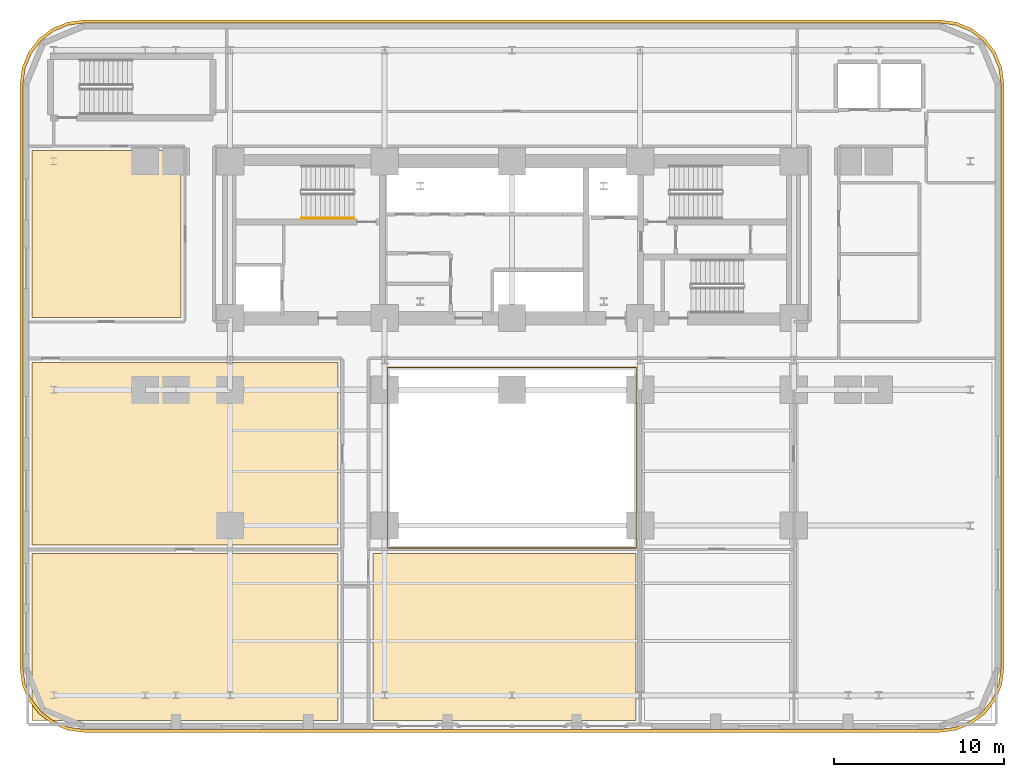
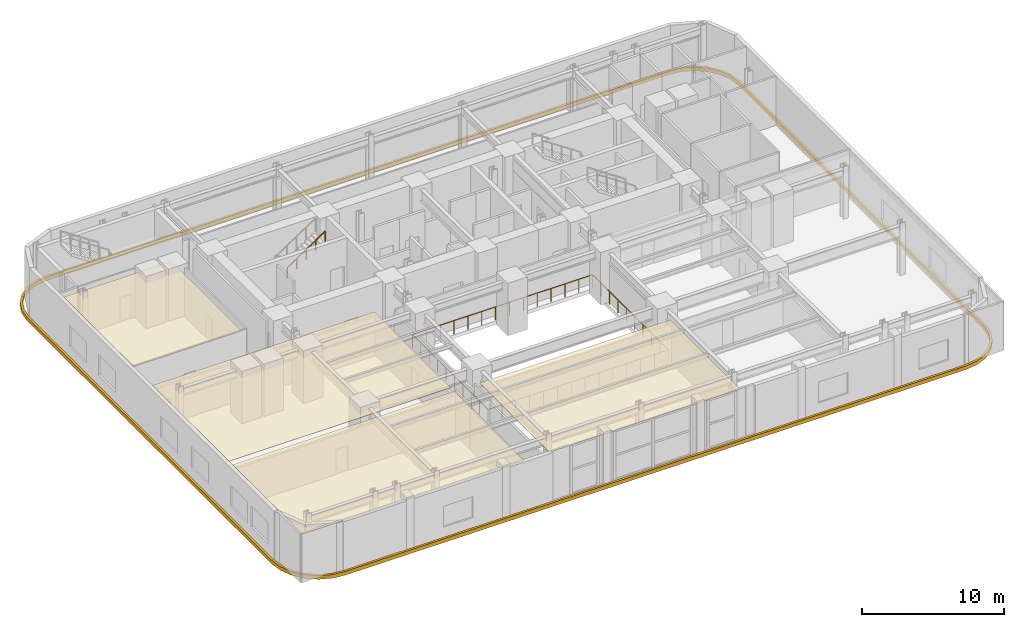
# One storey, part 10 of 14: 5 coverings, 2 railings.
"""IFC4 building model written with IfcOpenShell, lengths in metres."""

import ifcopenshell
import ifcopenshell.guid

model = None  # the IFC model being written
_history = None  # IfcOwnerHistory: only IFC2X3 demands one
_inside = {}  # id of a spatial element -> (the spatial element, [elements in it])
_under = {}  # id of a project, library or spatial element -> (it, [spatial elements below it])
_declared = {}  # id of a project -> (the project, [libraries it declares])
_typed = {}  # id of a type object -> (the type object, [elements of that type])
_made_of = {}  # id of a material, layer set ... -> (it, [elements and type objects made of it])


def new_model(schema):
    """Start an empty IFC model of exactly this schema.

    Asked for "IFC4X3", IfcOpenShell would pick the latest addendum, in which some entities
    have other attributes; the version numbers below select the first issue.
    IFC2X3 requires an IfcOwnerHistory on every rooted entity: one is made here for all.
    """
    global model, _history
    if schema == "IFC4X3":
        model = ifcopenshell.file(schema_version=(4, 3, 0, 0))
    else:
        model = ifcopenshell.file(schema=schema)
    _inside.clear()
    _under.clear()
    _declared.clear()
    _typed.clear()
    _made_of.clear()
    _history = None
    if model.schema == "IFC2X3":
        org = make("IfcOrganization", Name="unknown")
        user = make(
            "IfcPersonAndOrganization",
            ThePerson=make("IfcPerson", FamilyName="unknown"),
            TheOrganization=org,
        )
        app = make(
            "IfcApplication",
            ApplicationDeveloper=org,
            Version="unknown",
            ApplicationFullName="unknown",
            ApplicationIdentifier="unknown",
        )
        _history = make(
            "IfcOwnerHistory",
            OwningUser=user,
            OwningApplication=app,
            ChangeAction="ADDED",
            CreationDate=0,
        )
    return model


def make(cls, **values):
    """One entity of the class cls with the attributes given. An attribute that is None is left unset."""
    return model.create_entity(
        cls, **{name: value for name, value in values.items() if value is not None}
    )


def rooted(cls, **values):
    """An entity with a GlobalId (a new one), such as an element, a storey or a relation."""
    return make(cls, GlobalId=ifcopenshell.guid.new(), OwnerHistory=_history, **values)


def si_unit(unit_type, name, prefix=None):
    """IfcSIUnit, for example si_unit("LENGTHUNIT", "METRE", prefix="MILLI")."""
    return make("IfcSIUnit", UnitType=unit_type, Prefix=prefix, Name=name)


def assignment(units):
    """IfcUnitAssignment: the units of a project."""
    return None if units is None else make("IfcUnitAssignment", Units=units)


def point(xyz):
    """IfcCartesianPoint."""
    return None if xyz is None else make("IfcCartesianPoint", Coordinates=xyz)


def direction(xyz):
    """IfcDirection."""
    return None if xyz is None else make("IfcDirection", DirectionRatios=xyz)


def frame(location, z_axis=None, x_axis=None):
    """IfcAxis2Placement3D, a coordinate frame: its origin and axes. An axis left out is left unset."""
    return make(
        "IfcAxis2Placement3D",
        Location=point(location),
        Axis=direction(z_axis),
        RefDirection=direction(x_axis),
    )


def frame_2d(location, x_axis=None):
    """IfcAxis2Placement2D, a coordinate frame in the plane: its origin and x axis."""
    return make(
        "IfcAxis2Placement2D", Location=point(location), RefDirection=direction(x_axis)
    )


def origin():
    """The frame at (0, 0, 0) with its axes left unset."""
    return frame((0.0, 0.0, 0.0))


def origin_2d():
    """The frame at (0, 0) in the plane with its x axis left unset."""
    return frame_2d((0.0, 0.0))


def place(relative_to, where):
    """IfcLocalPlacement: puts the frame where relative to a parent placement (None: the world)."""
    return make(
        "IfcLocalPlacement", PlacementRelTo=relative_to, RelativePlacement=where
    )


def context(
    kind, dimensions, precision=None, world=None, true_north=None, identifier=None
):
    """IfcGeometricRepresentationContext, for example the 3D "Model" context."""
    return make(
        "IfcGeometricRepresentationContext",
        ContextIdentifier=identifier,
        ContextType=kind,
        CoordinateSpaceDimension=dimensions,
        Precision=precision,
        WorldCoordinateSystem=world,
        TrueNorth=true_north,
    )


def subcontext(parent, identifier, kind, view, scale=None):
    """IfcGeometricRepresentationSubContext, for example "Body" below "Model"."""
    return make(
        "IfcGeometricRepresentationSubContext",
        ContextIdentifier=identifier,
        ContextType=kind,
        ParentContext=parent,
        TargetScale=scale,
        TargetView=view,
    )


def project(units=None, contexts=None):
    """IfcProject with its units and contexts."""
    return rooted(
        "IfcProject",
        Name="project",
        RepresentationContexts=contexts,
        UnitsInContext=assignment(units),
    )


def spatial(cls, under=None, at=None, **own):
    """A site, building, storey or space (cls), placed at a placement, below another one or the project."""
    s = rooted(cls, ObjectPlacement=at, **own)
    if under is not None:
        _under.setdefault(under.id(), (under, []))[1].append(s)
    return s


def polyline(points):
    """IfcPolyline through the points."""
    return make("IfcPolyline", Points=[point(p) for p in points])


def profile(cls, at=None, kind="AREA", **sizes):
    """A parametric profile (cls). Its sizes go by their IFC names, for example OverallWidth=200.0."""
    return make(cls, ProfileType=kind, Position=at, **sizes)


def rectangle(**sizes):
    """IfcRectangleProfileDef."""
    return profile("IfcRectangleProfileDef", **sizes)


def outline(outer, holes=None, kind="AREA"):
    """IfcArbitraryClosedProfileDef: a profile drawn as a closed curve; with holes, ...WithVoids."""
    if holes is None:
        return make("IfcArbitraryClosedProfileDef", ProfileType=kind, OuterCurve=outer)
    return make(
        "IfcArbitraryProfileDefWithVoids",
        ProfileType=kind,
        OuterCurve=outer,
        InnerCurves=holes,
    )


def extrude(swept, where, along, depth):
    """IfcExtrudedAreaSolid: the profile swept, set in the frame where, extruded along a direction by depth."""
    return make(
        "IfcExtrudedAreaSolid",
        SweptArea=swept,
        Position=where,
        ExtrudedDirection=direction(along),
        Depth=depth,
    )


def shape(context_of_items, identifier, shape_type, items):
    """IfcShapeRepresentation: the items that make up one representation, for example the "Body"."""
    return make(
        "IfcShapeRepresentation",
        ContextOfItems=context_of_items,
        RepresentationIdentifier=identifier,
        RepresentationType=shape_type,
        Items=items,
    )


def material(Name=None, Category=None):
    """IfcMaterial."""
    return make("IfcMaterial", Name=Name, Category=Category)


def layer(
    of_material, thickness, ventilated=None, Name=None, Category=None, Priority=None
):
    """IfcMaterialLayer: one layer of a wall or slab, of a material (None: an air gap)."""
    return make(
        "IfcMaterialLayer",
        Material=of_material,
        LayerThickness=thickness,
        IsVentilated=ventilated,
        Name=Name,
        Category=Category,
        Priority=Priority,
    )


def layer_set(layers, Name=None):
    """IfcMaterialLayerSet."""
    return make("IfcMaterialLayerSet", MaterialLayers=layers, LayerSetName=Name)


def made_of(thing, what):
    """Note that an element or type object is made of a material, layer set ...; save() writes the relation."""
    if what is not None:
        _made_of.setdefault(what.id(), (what, []))[1].append(thing)
    return thing


def type_object(cls, material=None, **own):
    """A type object (cls), such as IfcWallType, which elements share."""
    return made_of(rooted(cls, **own), material)


def element(
    cls,
    number,
    at=None,
    inside=None,
    cuts=None,
    type_object=None,
    material=None,
    context=None,
    identifier="Body",
    shape_type=None,
    held_by="IfcProductDefinitionShape",
    body=None,
    shapes=None,
    **own,
):
    """One element of the class cls, such as IfcWall. Its Tag is "e" and its number.

    at: its placement. inside: the storey or other place that contains it. cuts: it is an
    opening in that element (IfcRelVoidsElement). A single representation is given by context,
    identifier, shape_type and body (its items); several are given by shapes. held_by: the class
    of the entity that holds the representations. save() writes the other relations.
    """
    e = rooted(cls, Tag="e%d" % number, ObjectPlacement=at, **own)
    if body is not None:
        shapes = [shape(context, identifier, shape_type, body)]
    if shapes is not None:
        e.Representation = make(held_by, Representations=shapes)
    if inside is not None:
        _inside.setdefault(inside.id(), (inside, []))[1].append(e)
    if cuts is not None:
        rooted(
            "IfcRelVoidsElement", RelatingBuildingElement=cuts, RelatedOpeningElement=e
        )
    if type_object is not None:
        _typed.setdefault(type_object.id(), (type_object, []))[1].append(e)
    return made_of(e, material)


def aggregate(whole, parts):
    """IfcRelAggregates: a whole, such as a stair, and the parts it consists of."""
    return rooted("IfcRelAggregates", RelatingObject=whole, RelatedObjects=parts)


def save(model, path):
    """Write the relations noted so far, then the file.

    IfcRelAggregates (storeys below a building ...), IfcRelContainedInSpatialStructure (elements
    in a storey), IfcRelDefinesByType, IfcRelAssociatesMaterial and IfcRelDeclares: one each for
    every whole, place, type object, material and project.
    """
    for whole, parts in _under.values():
        aggregate(whole, parts)
    for where, things in _inside.values():
        rooted(
            "IfcRelContainedInSpatialStructure",
            RelatedElements=things,
            RelatingStructure=where,
        )
    for kind, things in _typed.values():
        rooted("IfcRelDefinesByType", RelatedObjects=things, RelatingType=kind)
    for what, things in _made_of.values():
        rooted("IfcRelAssociatesMaterial", RelatedObjects=things, RelatingMaterial=what)
    for by, libraries in _declared.values():
        rooted("IfcRelDeclares", RelatingContext=by, RelatedDefinitions=libraries)
    model.write(path)


model = new_model("IFC4")

# Units and contexts
model_context = context("Model", 3, precision=1e-05, world=origin(), true_north=direction((0.0, 1.0)))
body_context = subcontext(model_context, "Body", "Model", "MODEL_VIEW")
ifc_project = project(units=[si_unit("LENGTHUNIT", "METRE"), si_unit("AREAUNIT", "SQUARE_METRE"), si_unit("VOLUMEUNIT", "CUBIC_METRE"), si_unit("PLANEANGLEUNIT", "RADIAN"), si_unit("MASSUNIT", "GRAM", prefix="KILO")], contexts=[model_context])

# Site, building, storey
site_placement = place(None, origin())
site = spatial("IfcSite", under=ifc_project, at=site_placement, CompositionType="ELEMENT")
building_placement = place(site_placement, origin())
building = spatial("IfcBuilding", under=site, at=building_placement, Name="Zarnavel Station Tower", CompositionType="ELEMENT")
storey_placement = place(building_placement, frame((0.0, 0.0, 14.89990234375)))
storey = spatial("IfcBuildingStorey", under=building, at=storey_placement, Name="L04", CompositionType="ELEMENT", Elevation=14.89990234375)

# Coverings
ifc_material_1 = material(Name="Perforated Gypsum and Mineral-Wool Acoustic Ceiling", Category="concrete")
ifc_layer = layer(ifc_material_1, 0.0400390625)
ifc_layer_set = layer_set([ifc_layer], Name="COV_CEIL_ACOUSTIC")
covering_type_1 = type_object("IfcCoveringType", Name="COV_CEIL_ACOUSTIC", PredefinedType="CEILING", material=ifc_layer_set)
covering_1_placement = place(storey_placement, frame((0.0, 0.0, 3.880126953125)))
element("IfcCovering", 1, at=covering_1_placement, inside=storey, type_object=covering_type_1, Name="L04 PNW Acoustic Ceiling", PredefinedType="CEILING", context=body_context, shape_type="SweptSolid", body=[
    extrude(outline(polyline([(0.530029296875, 27.85009765625), (9.300048828125, 27.85009765625), (9.300048828125, 37.699951171875), (0.530029296875, 37.699951171875), (0.530029296875, 27.85009765625)])), origin(), (0.0, 0.0, 1.0), 0.0400390625),
])
covering_2_placement = place(storey_placement, frame((0.0, 0.0, 3.880126953125)))
element("IfcCovering", 2, at=covering_2_placement, inside=storey, type_object=covering_type_1, Name="L04 REST1 Acoustic Ceiling", PredefinedType="CEILING", context=body_context, shape_type="SweptSolid", body=[
    extrude(outline(polyline([(0.530029296875, 4.1298828125), (18.550048828125, 4.1298828125), (18.550048828125, 13.949951171875), (0.530029296875, 13.949951171875), (0.530029296875, 4.1298828125)])), origin(), (0.0, 0.0, 1.0), 0.0400390625),
])
covering_3_placement = place(storey_placement, frame((0.0, 0.0, 3.880126953125)))
element("IfcCovering", 3, at=covering_3_placement, inside=storey, type_object=covering_type_1, Name="L04 CKIT Acoustic Ceiling", PredefinedType="CEILING", context=body_context, shape_type="SweptSolid", body=[
    extrude(outline(polyline([(0.530029296875, 14.449951171875), (18.550048828125, 14.449951171875), (18.550048828125, 25.199951171875), (0.530029296875, 25.199951171875), (0.530029296875, 14.449951171875)])), origin(), (0.0, 0.0, 1.0), 0.0400390625),
])
covering_4_placement = place(storey_placement, frame((0.0, 0.0, 3.880126953125)))
element("IfcCovering", 4, at=covering_4_placement, inside=storey, type_object=covering_type_1, Name="L04 TERD Acoustic Ceiling", PredefinedType="CEILING", context=body_context, shape_type="SweptSolid", body=[
    extrude(outline(polyline([(20.60009765625, 4.1298828125), (36.10009765625, 4.1298828125), (36.10009765625, 13.949951171875), (20.60009765625, 13.949951171875), (20.60009765625, 4.1298828125)])), origin(), (0.0, 0.0, 1.0), 0.0400390625),
])
ifc_material_2 = material(Name="Precast concrete C45/55 (Pale Travertine Slab Band)", Category="masonry")
covering_type_2 = type_object("IfcCoveringType", Name="COV_TRAVERTINE_BAND", PredefinedType="CLADDING", material=ifc_material_2)
covering_5_placement = place(storey_placement, frame((0.0, 0.0, -0.260009765625)))
element("IfcCovering", 5, at=covering_5_placement, inside=storey, type_object=covering_type_2, Name="L04 Pale Travertine Slab-Edge Band", PredefinedType="CLADDING", context=body_context, shape_type="SweptSolid", body=[
    extrude(outline(polyline([(54.0, 3.419921875), (54.978271484375, 3.548828125), (55.889892578125, 3.926513671875), (56.6728515625, 4.527099609375), (57.273681640625, 5.31005859375), (57.651123046875, 6.2216796875), (57.780029296875, 7.199951171875), (57.780029296875, 41.60009765625), (57.651123046875, 42.578369140625), (57.273681640625, 43.489990234375), (56.6728515625, 44.27294921875), (55.889892578125, 44.87353515625), (54.978271484375, 45.251220703125), (54.0, 45.3798828125), (3.60009765625, 45.3798828125), (2.62158203125, 45.251220703125), (1.7099609375, 44.87353515625), (0.927001953125, 44.27294921875), (0.326416015625, 43.489990234375), (-0.05126953125, 42.578369140625), (-0.179931640625, 41.60009765625), (-0.179931640625, 7.199951171875), (-0.05126953125, 6.2216796875), (0.326416015625, 5.31005859375), (0.927001953125, 4.527099609375), (1.7099609375, 3.926513671875), (2.62158203125, 3.548828125), (3.60009765625, 3.419921875), (54.0, 3.419921875)]), holes=[polyline([(54.0, 3.60009765625), (54.931640625, 3.72265625), (55.800048828125, 4.082275390625), (56.545654296875, 4.654296875), (57.11767578125, 5.39990234375), (57.477294921875, 6.268310546875), (57.60009765625, 7.199951171875), (57.60009765625, 41.60009765625), (57.477294921875, 42.53173828125), (57.11767578125, 43.39990234375), (56.545654296875, 44.1455078125), (55.800048828125, 44.7177734375), (54.931640625, 45.077392578125), (54.0, 45.199951171875), (3.60009765625, 45.199951171875), (2.668212890625, 45.077392578125), (1.800048828125, 44.7177734375), (1.054443359375, 44.1455078125), (0.482421875, 43.39990234375), (0.122802734375, 42.53173828125), (0.0, 41.60009765625), (0.0, 7.199951171875), (0.122802734375, 6.268310546875), (0.482421875, 5.39990234375), (1.054443359375, 4.654296875), (1.800048828125, 4.082275390625), (2.668212890625, 3.72265625), (3.60009765625, 3.60009765625), (54.0, 3.60009765625)])]), origin(), (0.0, 0.0, 1.0), 0.320068359375),
])

# Railings
ifc_material_3 = material(Name="Painted Steel S355J2 Balustrade", Category="steel")
railing_type_1 = type_object("IfcRailingType", Name="GR_INT_1150", PredefinedType="GUARDRAIL", material=ifc_material_3)
railing_1_placement = place(storey_placement, frame((21.47998046875, 14.280029296875, 0.0)))
element("IfcRailing", 6, at=railing_1_placement, inside=storey, type_object=railing_type_1, Name="L04 Atrium Void Guardrail", PredefinedType="GUARDRAIL", context=body_context, shape_type="SweptSolid", body=[
    extrude(rectangle(XDim=0.048095703125, YDim=0.048095703125, at=origin_2d()), frame((0.001953125, 0.0, 1.1259765625), z_axis=(1.0, 0.0, 0.0), x_axis=(0.0, 1.0, 0.0)), (0.0, 0.0, 1.0), 14.63623046875),
    extrude(rectangle(XDim=0.048095703125, YDim=0.048095703125, at=origin_2d()), frame((14.64013671875, 0.001953125, 1.1259765625), z_axis=(0.0, 1.0, 0.0), x_axis=(-1.0, 0.0, 0.0)), (0.0, 0.0, 1.0), 10.635986328125),
    extrude(rectangle(XDim=0.048095703125, YDim=0.048095703125, at=origin_2d()), frame((14.63818359375, 10.639892578125, 1.1259765625), z_axis=(-1.0, 0.0, 0.0), x_axis=(0.0, -1.0, 0.0)), (0.0, 0.0, 1.0), 14.63623046875),
    extrude(rectangle(XDim=0.048095703125, YDim=0.048095703125, at=origin_2d()), frame((0.0, 10.637939453125, 1.1259765625), z_axis=(0.0, -1.0, 0.0), x_axis=(1.0, 0.0, 0.0)), (0.0, 0.0, 1.0), 10.635986328125),
    extrude(rectangle(XDim=0.0419921875, YDim=0.0419921875, at=origin_2d()), origin(), (0.0, 0.0, 1.0), 1.101806640625),
    extrude(rectangle(XDim=0.0419921875, YDim=0.0419921875, at=origin_2d()), frame((1.126220703125, 0.0, 0.0)), (0.0, 0.0, 1.0), 1.101806640625),
    extrude(rectangle(XDim=0.0419921875, YDim=0.0419921875, at=origin_2d()), frame((2.25244140625, 0.0, 0.0)), (0.0, 0.0, 1.0), 1.101806640625),
    extrude(rectangle(XDim=0.0419921875, YDim=0.0419921875, at=origin_2d()), frame((3.37841796875, 0.0, 0.0)), (0.0, 0.0, 1.0), 1.101806640625),
    extrude(rectangle(XDim=0.0419921875, YDim=0.0419921875, at=origin_2d()), frame((4.504638671875, 0.0, 0.0)), (0.0, 0.0, 1.0), 1.101806640625),
    extrude(rectangle(XDim=0.0419921875, YDim=0.0419921875, at=origin_2d()), frame((5.630859375, 0.0, 0.0)), (0.0, 0.0, 1.0), 1.101806640625),
    extrude(rectangle(XDim=0.0419921875, YDim=0.0419921875, at=origin_2d()), frame((6.757080078125, 0.0, 0.0)), (0.0, 0.0, 1.0), 1.101806640625),
    extrude(rectangle(XDim=0.0419921875, YDim=0.0419921875, at=origin_2d()), frame((7.883056640625, 0.0, 0.0)), (0.0, 0.0, 1.0), 1.101806640625),
    extrude(rectangle(XDim=0.0419921875, YDim=0.0419921875, at=origin_2d()), frame((9.00927734375, 0.0, 0.0)), (0.0, 0.0, 1.0), 1.101806640625),
    extrude(rectangle(XDim=0.0419921875, YDim=0.0419921875, at=origin_2d()), frame((10.135498046875, 0.0, 0.0)), (0.0, 0.0, 1.0), 1.101806640625),
    extrude(rectangle(XDim=0.0419921875, YDim=0.0419921875, at=origin_2d()), frame((11.26171875, 0.0, 0.0)), (0.0, 0.0, 1.0), 1.101806640625),
    extrude(rectangle(XDim=0.0419921875, YDim=0.0419921875, at=origin_2d()), frame((12.3876953125, 0.0, 0.0)), (0.0, 0.0, 1.0), 1.101806640625),
    extrude(rectangle(XDim=0.0419921875, YDim=0.0419921875, at=origin_2d()), frame((13.513916015625, 0.0, 0.0)), (0.0, 0.0, 1.0), 1.101806640625),
    extrude(rectangle(XDim=0.0419921875, YDim=0.0419921875, at=origin_2d()), frame((14.64013671875, 0.0, 0.0)), (0.0, 0.0, 1.0), 1.101806640625),
    extrude(rectangle(XDim=0.0419921875, YDim=0.0419921875, at=origin_2d()), frame((14.64013671875, 1.18212890625, 0.0)), (0.0, 0.0, 1.0), 1.101806640625),
    extrude(rectangle(XDim=0.0419921875, YDim=0.0419921875, at=origin_2d()), frame((14.64013671875, 2.364501953125, 0.0)), (0.0, 0.0, 1.0), 1.101806640625),
    extrude(rectangle(XDim=0.0419921875, YDim=0.0419921875, at=origin_2d()), frame((14.64013671875, 3.546630859375, 0.0)), (0.0, 0.0, 1.0), 1.101806640625),
    extrude(rectangle(XDim=0.0419921875, YDim=0.0419921875, at=origin_2d()), frame((14.64013671875, 4.728759765625, 0.0)), (0.0, 0.0, 1.0), 1.101806640625),
    extrude(rectangle(XDim=0.0419921875, YDim=0.0419921875, at=origin_2d()), frame((14.64013671875, 5.9111328125, 0.0)), (0.0, 0.0, 1.0), 1.101806640625),
    extrude(rectangle(XDim=0.0419921875, YDim=0.0419921875, at=origin_2d()), frame((14.64013671875, 7.09326171875, 0.0)), (0.0, 0.0, 1.0), 1.101806640625),
    extrude(rectangle(XDim=0.0419921875, YDim=0.0419921875, at=origin_2d()), frame((14.64013671875, 8.275390625, 0.0)), (0.0, 0.0, 1.0), 1.101806640625),
    extrude(rectangle(XDim=0.0419921875, YDim=0.0419921875, at=origin_2d()), frame((14.64013671875, 9.457763671875, 0.0)), (0.0, 0.0, 1.0), 1.101806640625),
    extrude(rectangle(XDim=0.0419921875, YDim=0.0419921875, at=origin_2d()), frame((14.64013671875, 10.639892578125, 0.0)), (0.0, 0.0, 1.0), 1.101806640625),
    extrude(rectangle(XDim=0.0419921875, YDim=0.0419921875, at=origin_2d()), frame((13.513916015625, 10.639892578125, 0.0)), (0.0, 0.0, 1.0), 1.101806640625),
    extrude(rectangle(XDim=0.0419921875, YDim=0.0419921875, at=origin_2d()), frame((12.3876953125, 10.639892578125, 0.0)), (0.0, 0.0, 1.0), 1.101806640625),
    extrude(rectangle(XDim=0.0419921875, YDim=0.0419921875, at=origin_2d()), frame((11.26171875, 10.639892578125, 0.0)), (0.0, 0.0, 1.0), 1.101806640625),
    extrude(rectangle(XDim=0.0419921875, YDim=0.0419921875, at=origin_2d()), frame((10.135498046875, 10.639892578125, 0.0)), (0.0, 0.0, 1.0), 1.101806640625),
    extrude(rectangle(XDim=0.0419921875, YDim=0.0419921875, at=origin_2d()), frame((9.00927734375, 10.639892578125, 0.0)), (0.0, 0.0, 1.0), 1.101806640625),
    extrude(rectangle(XDim=0.0419921875, YDim=0.0419921875, at=origin_2d()), frame((7.883056640625, 10.639892578125, 0.0)), (0.0, 0.0, 1.0), 1.101806640625),
    extrude(rectangle(XDim=0.0419921875, YDim=0.0419921875, at=origin_2d()), frame((6.757080078125, 10.639892578125, 0.0)), (0.0, 0.0, 1.0), 1.101806640625),
    extrude(rectangle(XDim=0.0419921875, YDim=0.0419921875, at=origin_2d()), frame((5.630859375, 10.639892578125, 0.0)), (0.0, 0.0, 1.0), 1.101806640625),
    extrude(rectangle(XDim=0.0419921875, YDim=0.0419921875, at=origin_2d()), frame((4.504638671875, 10.639892578125, 0.0)), (0.0, 0.0, 1.0), 1.101806640625),
    extrude(rectangle(XDim=0.0419921875, YDim=0.0419921875, at=origin_2d()), frame((3.37841796875, 10.639892578125, 0.0)), (0.0, 0.0, 1.0), 1.101806640625),
    extrude(rectangle(XDim=0.0419921875, YDim=0.0419921875, at=origin_2d()), frame((2.25244140625, 10.639892578125, 0.0)), (0.0, 0.0, 1.0), 1.101806640625),
    extrude(rectangle(XDim=0.0419921875, YDim=0.0419921875, at=origin_2d()), frame((1.126220703125, 10.639892578125, 0.0)), (0.0, 0.0, 1.0), 1.101806640625),
    extrude(rectangle(XDim=0.0419921875, YDim=0.0419921875, at=origin_2d()), frame((0.0, 10.639892578125, 0.0)), (0.0, 0.0, 1.0), 1.101806640625),
    extrude(rectangle(XDim=0.0419921875, YDim=0.0419921875, at=origin_2d()), frame((0.0, 9.457763671875, 0.0)), (0.0, 0.0, 1.0), 1.101806640625),
    extrude(rectangle(XDim=0.0419921875, YDim=0.0419921875, at=origin_2d()), frame((0.0, 8.275390625, 0.0)), (0.0, 0.0, 1.0), 1.101806640625),
    extrude(rectangle(XDim=0.0419921875, YDim=0.0419921875, at=origin_2d()), frame((0.0, 7.09326171875, 0.0)), (0.0, 0.0, 1.0), 1.101806640625),
    extrude(rectangle(XDim=0.0419921875, YDim=0.0419921875, at=origin_2d()), frame((0.0, 5.9111328125, 0.0)), (0.0, 0.0, 1.0), 1.101806640625),
    extrude(rectangle(XDim=0.0419921875, YDim=0.0419921875, at=origin_2d()), frame((0.0, 4.728759765625, 0.0)), (0.0, 0.0, 1.0), 1.101806640625),
    extrude(rectangle(XDim=0.0419921875, YDim=0.0419921875, at=origin_2d()), frame((0.0, 3.546630859375, 0.0)), (0.0, 0.0, 1.0), 1.101806640625),
    extrude(rectangle(XDim=0.0419921875, YDim=0.0419921875, at=origin_2d()), frame((0.0, 2.364501953125, 0.0)), (0.0, 0.0, 1.0), 1.101806640625),
    extrude(rectangle(XDim=0.0419921875, YDim=0.0419921875, at=origin_2d()), frame((0.0, 1.18212890625, 0.0)), (0.0, 0.0, 1.0), 1.101806640625),
])
ifc_material_4 = material(Name="Brushed Stainless Steel S355J2 Handrail", Category="steel")
railing_type_2 = type_object("IfcRailingType", Name="HR_STAIR_900", PredefinedType="HANDRAIL", material=ifc_material_4)
railing_2_placement = place(storey_placement, frame((16.39990234375, 33.7099609375, 2.4375)))
element("IfcRailing", 7, at=railing_2_placement, inside=storey, type_object=railing_type_2, Name="L04 ST1 stair handrail 2", PredefinedType="HANDRAIL", context=body_context, shape_type="SweptSolid", body=[
    extrude(rectangle(XDim=0.048095703125, YDim=0.048095703125, at=origin_2d()), frame((0.001708984375, 0.0, 0.876953125), z_axis=(0.830913701846, 0.0, 0.55640131208), x_axis=(0.0, 1.0, 0.0)), (0.0, 0.0, 1.0), 3.702880859375),
    extrude(rectangle(XDim=0.0419921875, YDim=0.0419921875, at=origin_2d()), origin(), (0.0, 0.0, 1.0), 0.851806640625),
    extrude(rectangle(XDim=0.0419921875, YDim=0.0419921875, at=origin_2d()), frame((0.77001953125, 0.0, 0.515625)), (0.0, 0.0, 1.0), 0.851806640625),
    extrude(rectangle(XDim=0.0419921875, YDim=0.0419921875, at=origin_2d()), frame((1.5400390625, 0.0, 1.03125)), (0.0, 0.0, 1.0), 0.851806640625),
    extrude(rectangle(XDim=0.0419921875, YDim=0.0419921875, at=origin_2d()), frame((2.31005859375, 0.0, 1.546875)), (0.0, 0.0, 1.0), 0.851806640625),
    extrude(rectangle(XDim=0.0419921875, YDim=0.0419921875, at=origin_2d()), frame((3.080078125, 0.0, 2.0625)), (0.0, 0.0, 1.0), 0.851806640625),
])

save(model, "model.ifc")
